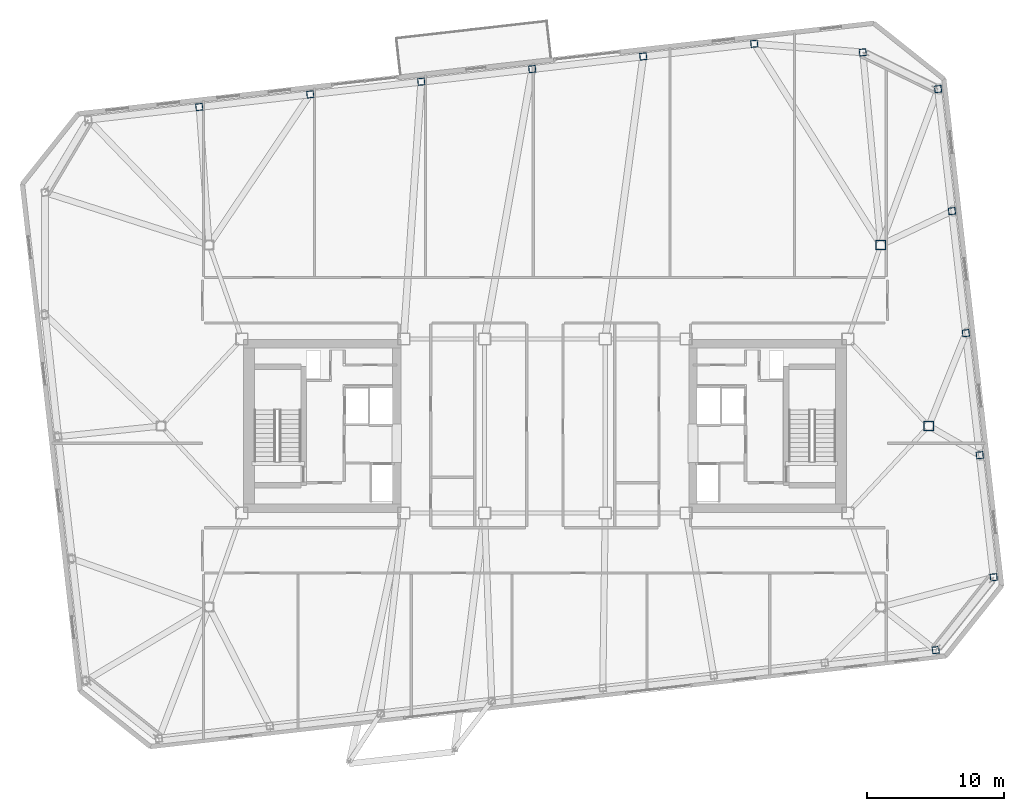
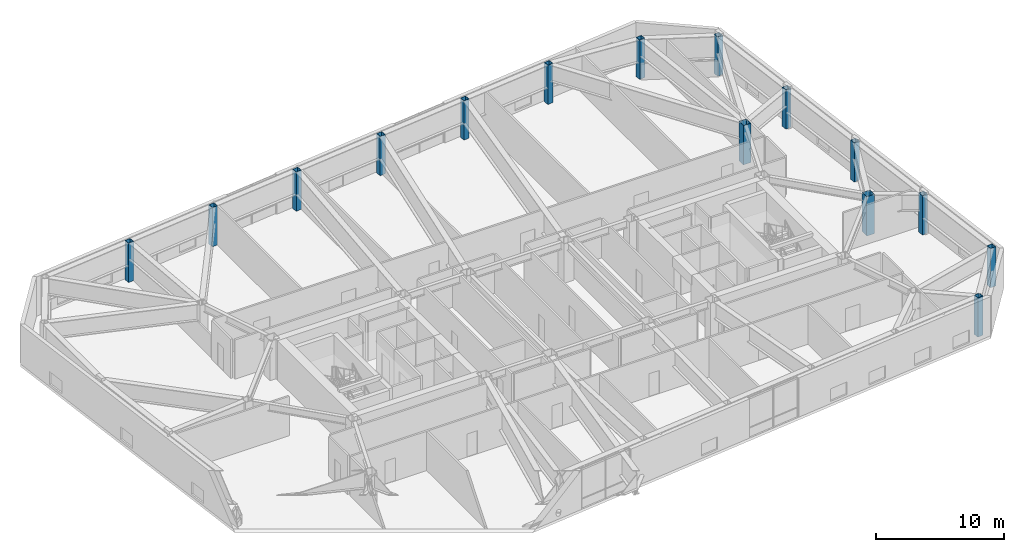
# One storey, part 2 of 20: 15 columns.
"""IFC4 building model written with IfcOpenShell, lengths in metres."""

from ifc_helpers import new_model, si_unit, direction, frame, origin, origin_2d, place, context, subcontext, project, spatial, hollow_rectangle, extrude, material, material_profile, profile_set, type_object, element, save


model = new_model("IFC4")

# Units and contexts
model_context = context("Model", 3, precision=1e-05, world=origin(), true_north=direction((0.0, 1.0)))
body_context = subcontext(model_context, "Body", "Model", "MODEL_VIEW")
ifc_project = project(units=[si_unit("LENGTHUNIT", "METRE"), si_unit("AREAUNIT", "SQUARE_METRE"), si_unit("VOLUMEUNIT", "CUBIC_METRE"), si_unit("PLANEANGLEUNIT", "RADIAN"), si_unit("MASSUNIT", "GRAM", prefix="KILO")], contexts=[model_context])

# Site, building, storey
site_placement = place(None, origin())
site = spatial("IfcSite", under=ifc_project, at=site_placement, CompositionType="ELEMENT")
building_placement = place(site_placement, origin())
building = spatial("IfcBuilding", under=site, at=building_placement, Name="Tavrogorsk Clinical Tower", CompositionType="ELEMENT")
storey_placement = place(building_placement, frame((0.0, 0.0, 214.199951171875)))
storey = spatial("IfcBuildingStorey", under=building, at=storey_placement, Name="L49", CompositionType="ELEMENT", Elevation=214.199951171875)

# Columns
ifc_material_1 = material(Name="Structural steel S440", Category="steel")
ifc_material_profile_1 = material_profile(ifc_material_1, hollow_rectangle(XDim=0.699951171875, YDim=0.699951171875, WallThickness=0.031982421875, at=origin_2d()), Name="BOX-700x700x32")
ifc_profile_set_1 = profile_set([ifc_material_profile_1], Name="Structural steel S440")
column_type_1 = type_object("IfcColumnType", Name="MegaCol_BOX700", PredefinedType="COLUMN", material=ifc_profile_set_1)
for number, where, z_axis, x_axis, name in (
    (1, (24.5, 13.199951171875, 0.0), (0.0, 0.0, 1.0), (1.0, 0.0, 0.0), "L49 Spine Pilotis Column MC-P4"),
    (2, (28.0, 0.0, 0.0), (0.0, 0.0, 1.0), (1.0, 0.0, 0.0), "L49 Spine Pilotis Column MC-P6"),
):
    element("IfcColumn", number, at=place(storey_placement, frame(where, z_axis=z_axis, x_axis=x_axis)), inside=storey, type_object=column_type_1, Name=name, PredefinedType="COLUMN", context=body_context, shape_type="SweptSolid", body=[
        extrude(hollow_rectangle(XDim=0.699951171875, YDim=0.699951171875, WallThickness=0.031982421875, at=origin_2d()), origin(), (0.0, 0.0, 1.0), 3.739990234375),
    ])
ifc_material_2 = material(Name="Structural steel S440", Category="steel")
ifc_material_profile_2 = material_profile(ifc_material_2, hollow_rectangle(XDim=0.5, YDim=0.5, WallThickness=0.02490234375, at=origin_2d()), Name="BOX-500x500x25")
ifc_profile_set_2 = profile_set([ifc_material_profile_2], Name="Structural steel S440")
column_type_2 = type_object("IfcColumnType", Name="PerimCol_B4_BOX500", PredefinedType="COLUMN", material=ifc_profile_set_2)
for number, where, z_axis, x_axis, name in (
    (3, (28.508544921875, -16.345458984375, 0.0), (0.0, 0.0, 1.0), (0.993571855677, 0.113203213768, 0.0), "L49 Perimeter Column S8"),
    (4, (23.188232421875, 27.25341796875, 0.0), (0.0, 0.0, 1.0), (0.993571855677, 0.113203213768, 0.0), "L49 Perimeter Column N1"),
    (5, (15.2685546875, 27.880126953125, 0.0), (0.0, 0.0, 1.0), (0.993571855677, 0.113203213768, 0.0), "L49 Perimeter Column N2"),
    (6, (7.17236328125, 26.95751953125, 0.0), (0.0, 0.0, 1.0), (0.993571855677, 0.113203213768, 0.0), "L49 Perimeter Column N3"),
    (7, (-0.923828125, 26.03515625, 0.0), (0.0, 0.0, 1.0), (0.993571855677, 0.113203213768, 0.0), "L49 Perimeter Column N4"),
    (8, (-9.02001953125, 25.11279296875, 0.0), (0.0, 0.0, 1.0), (0.993571855677, 0.113203213768, 0.0), "L49 Perimeter Column N5"),
    (9, (-17.1162109375, 24.190185546875, 0.0), (0.0, 0.0, 1.0), (0.993571855677, 0.113203213768, 0.0), "L49 Perimeter Column N6"),
    (10, (-25.21240234375, 23.267822265625, 0.0), (0.0, 0.0, 1.0), (0.993571855677, 0.113203213768, 0.0), "L49 Perimeter Column N7"),
    (11, (32.734375, -11.032958984375, 0.0), (0.0, 0.0, 1.0), (0.993571855677, 0.113203213768, 0.0), "L49 Perimeter Column E1"),
    (12, (31.72021484375, -2.130615234375, 0.0), (0.0, 0.0, 1.0), (0.993571855677, 0.113203213768, 0.0), "L49 Perimeter Column E2"),
    (13, (30.705810546875, 6.77197265625, 0.0), (0.0, 0.0, 1.0), (0.993571855677, 0.113203213768, 0.0), "L49 Perimeter Column E3"),
    (14, (29.69140625, 15.67431640625, 0.0), (0.0, 0.0, 1.0), (0.993571855677, 0.113203213768, 0.0), "L49 Perimeter Column E4"),
    (15, (28.67724609375, 24.57666015625, 0.0), (0.0, 0.0, 1.0), (0.993571855677, 0.113203213768, 0.0), "L49 Perimeter Column E5"),
):
    element("IfcColumn", number, at=place(storey_placement, frame(where, z_axis=z_axis, x_axis=x_axis)), inside=storey, type_object=column_type_2, Name=name, PredefinedType="COLUMN", context=body_context, shape_type="SweptSolid", body=[
        extrude(hollow_rectangle(XDim=0.5, YDim=0.5, WallThickness=0.02490234375, at=origin_2d()), origin(), (0.0, 0.0, 1.0), 3.739990234375),
    ])

save(model, "model.ifc")
